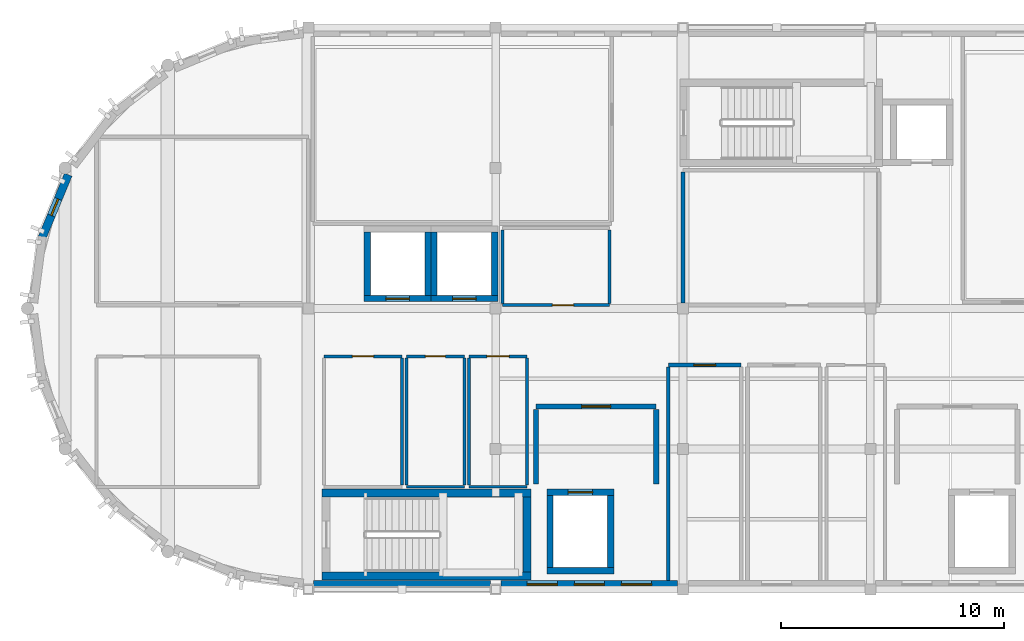
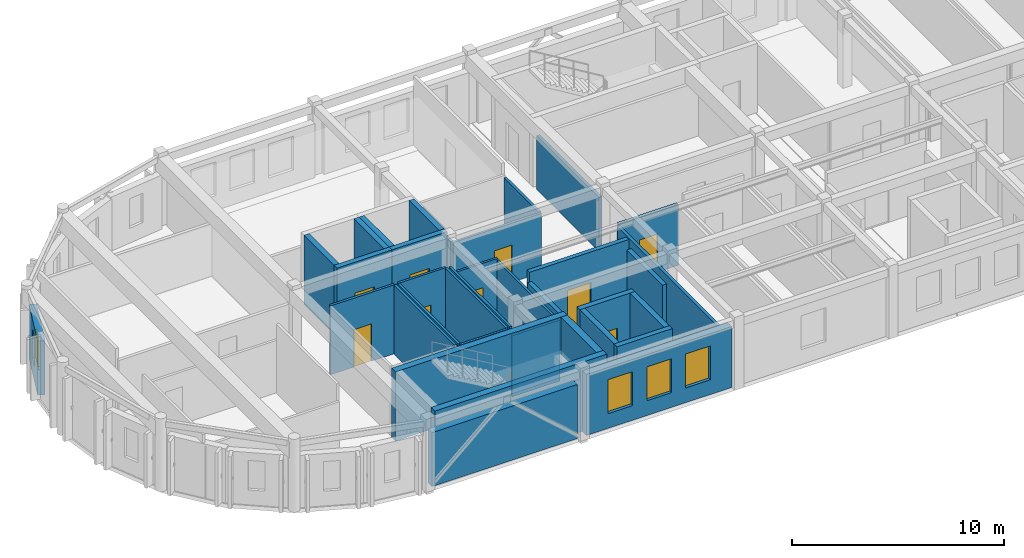
# One storey, part 3 of 11: 35 walls, 9 doors, 4 windows, 13 openings.
"""IFC4 building model written with IfcOpenShell, lengths in metres."""

from ifc_helpers import new_model, si_unit, direction, frame, frame_2d, origin, place, context, subcontext, project, spatial, rectangle, extrude, material, layer, layer_set, type_object, element, fill, save


model = new_model("IFC4")

# Units and contexts
model_context = context("Model", 3, precision=1e-05, world=origin(), true_north=direction((0.0, 1.0)))
body_context = subcontext(model_context, "Body", "Model", "MODEL_VIEW")
ifc_project = project(units=[si_unit("LENGTHUNIT", "METRE"), si_unit("AREAUNIT", "SQUARE_METRE"), si_unit("VOLUMEUNIT", "CUBIC_METRE"), si_unit("PLANEANGLEUNIT", "RADIAN"), si_unit("MASSUNIT", "GRAM", prefix="KILO")], contexts=[model_context])

# Site, building, storey
site_placement = place(None, origin())
site = spatial("IfcSite", under=ifc_project, at=site_placement, CompositionType="ELEMENT")
building_placement = place(site_placement, origin())
building = spatial("IfcBuilding", under=site, at=building_placement, Name="Tarnavel Promenade Courthouse", CompositionType="ELEMENT")
storey_placement = place(building_placement, frame((0.0, 0.0, 31.199951171875)))
storey = spatial("IfcBuildingStorey", under=building, at=storey_placement, Name="L08", CompositionType="ELEMENT", Elevation=31.199951171875)

# Wall
ifc_material_1 = material(Name="Acoustic Insulated Gypsum Stud Partition", Category="gypsum")
ifc_layer_1 = layer(ifc_material_1, 0.1650390625)
ifc_layer_set_1 = layer_set([ifc_layer_1], Name="Acoustic Insulated Gypsum Stud Partition")
wall_type_1 = type_object("IfcWallType", Name="Acoustic Insulated Gypsum Stud Partition WL-CHM-165 (165 mm)", PredefinedType="PARTITIONING", material=ifc_layer_set_1)
wall_1_placement = place(storey_placement, frame((75.60009765625, 92.04248046875, 0.0), z_axis=(0.0, 0.0, 1.0), x_axis=(0.0, 1.0, 0.0)))
element("IfcWall", 1, at=wall_1_placement, inside=storey, type_object=wall_type_1, Name="L08 L08 Judicial Panel Deliberation Salon Partition 0953", PredefinedType="PARTITIONING", context=body_context, shape_type="SweptSolid", body=[
    extrude(rectangle(XDim=5.864990234375, YDim=0.1650390625, at=frame_2d((2.9326171875, 0.0))), origin(), (0.0, 0.0, 1.0), 3.110107421875),
])

# Wall, opening, door
wall_2_placement = place(storey_placement, frame((74.93994140625, 89.260009765625, 0.0), z_axis=(0.0, 0.0, 1.0), x_axis=(1.0, 0.0, 0.0)))
wall_2 = element("IfcWall", 2, at=wall_2_placement, inside=storey, type_object=wall_type_1, Name="L08 Senior Magistracy Chambers West Partition 0964", PredefinedType="PARTITIONING", context=body_context, shape_type="SweptSolid", body=[
    extrude(rectangle(XDim=3.26806640625, YDim=0.1650390625, at=frame_2d((1.634033203125, 0.0))), origin(), (0.0, 0.0, 1.0), 3.510009765625),
])
opening_1_placement = place(wall_2_placement, frame((1.14404296875, 0.0, 0.0)))
opening_1 = element("IfcOpeningElement", 3, at=opening_1_placement, cuts=wall_2, Name="Opening ID-04", PredefinedType="OPENING", context=body_context, shape_type="SweptSolid", body=[
    extrude(rectangle(XDim=0.97998046875, YDim=2.199951171875, at=frame_2d((0.489990234375, 1.10009765625))), frame((0.0, 0.092529296875, 0.0), z_axis=(0.0, -1.0, 0.0), x_axis=(1.0, 0.0, 0.0)), (0.0, 0.0, 1.0), 0.18505859375),
])
ifc_material_2 = material(Name="Solid Oak Judges Chambers Door")
door_type_1 = type_object("IfcDoorType", Name="Solid Oak Judges Chambers Door (DR-CHM-0980x2200)", OperationType="NOTDEFINED", PredefinedType="DOOR", material=ifc_material_2)
door_1_placement = place(opening_1_placement, origin())
door_1 = element("IfcDoor", 4, at=door_1_placement, inside=storey, type_object=door_type_1, Name="L08 Senior Magistracy Chambers West Door 0275", OperationType="SINGLE_SWING_LEFT", OverallHeight=2.199951171875, OverallWidth=0.97998046875, PredefinedType="DOOR", context=body_context, shape_type="SweptSolid", body=[
    extrude(rectangle(XDim=0.97998046875, YDim=2.199951171875, at=frame_2d((0.489990234375, 1.10009765625))), frame((0.0, 0.02490234375, 0.0), z_axis=(0.0, -1.0, 0.0), x_axis=(1.0, 0.0, 0.0)), (0.0, 0.0, 1.0), 0.050048828125),
])
fill(opening_1, door_1)

# Wall
wall_3_placement = place(storey_placement, frame((74.93994140625, 79.60400390625, 0.0), z_axis=(0.0, 0.0, 1.0), x_axis=(0.0, 1.0, 0.0)))
element("IfcWall", 5, at=wall_3_placement, inside=storey, type_object=wall_type_1, Name="L08 Senior Magistracy Chambers West Partition 0965", PredefinedType="PARTITIONING", context=body_context, shape_type="SweptSolid", body=[
    extrude(rectangle(XDim=9.5634765625, YDim=0.1650390625, at=frame_2d((4.78173828125, 0.0))), origin(), (0.0, 0.0, 1.0), 3.41015625),
])

# Wall, opening, door
ifc_material_3 = material(Name="Concrete C40/50", Category="concrete")
ifc_layer_2 = layer(ifc_material_3, 0.280029296875)
ifc_layer_set_2 = layer_set([ifc_layer_2], Name="Concrete C40/50")
wall_type_2 = type_object("IfcWallType", Name="Concrete C40/50 WL-SHR-280 (280 mm)", PredefinedType="SHEAR", material=ifc_layer_set_2)
wall_4_placement = place(storey_placement, frame((69.5, 83.56005859375, 0.0), z_axis=(0.0, 0.0, 1.0), x_axis=(1.0, 0.0, 0.0)))
wall_4 = element("IfcWall", 6, at=wall_4_placement, inside=storey, type_object=wall_type_2, Name="L08 L-FF1 Lift Shaft North Wall", PredefinedType="SHEAR", context=body_context, shape_type="SweptSolid", body=[
    extrude(rectangle(XDim=3.0, YDim=0.280029296875, at=frame_2d((1.5, 0.0))), origin(), (0.0, 0.0, 1.0), 3.97998046875),
])
opening_2_placement = place(wall_4_placement, frame((0.949951171875, 0.0, 0.0)))
opening_2 = element("IfcOpeningElement", 7, at=opening_2_placement, cuts=wall_4, Name="Opening LD-01", PredefinedType="OPENING", context=body_context, shape_type="SweptSolid", body=[
    extrude(rectangle(XDim=1.10009765625, YDim=2.199951171875, at=frame_2d((0.550048828125, 1.10009765625))), frame((0.0, 0.14990234375, 0.0), z_axis=(0.0, -1.0, 0.0), x_axis=(1.0, 0.0, 0.0)), (0.0, 0.0, 1.0), 0.300048828125),
])
ifc_material_4 = material(Name="Stainless Steel Firefighting Lift Landing Sliding Door", Category="steel")
door_type_2 = type_object("IfcDoorType", Name="Stainless Steel Firefighting Lift Landing Sliding Door (LD-FF-1100x2200)", OperationType="NOTDEFINED", PredefinedType="DOOR", material=ifc_material_4)
door_2_placement = place(opening_2_placement, origin())
door_2 = element("IfcDoor", 8, at=door_2_placement, inside=storey, type_object=door_type_2, Name="L08 L-FF1 Lift Sliding Landing Door", OperationType="DOUBLE_DOOR_SLIDING", OverallHeight=2.199951171875, OverallWidth=1.10009765625, PredefinedType="DOOR", context=body_context, shape_type="SweptSolid", body=[
    extrude(rectangle(XDim=1.10009765625, YDim=2.199951171875, at=frame_2d((0.550048828125, 1.10009765625))), frame((0.0, 0.02490234375, 0.0), z_axis=(0.0, -1.0, 0.0), x_axis=(1.0, 0.0, 0.0)), (0.0, 0.0, 1.0), 0.050048828125),
])
fill(opening_2, door_2)

# Walls
wall_5_placement = place(storey_placement, frame((72.5, 80.0400390625, 0.0), z_axis=(0.0, 0.0, 1.0), x_axis=(-1.0, 0.0, 0.0)))
element("IfcWall", 9, at=wall_5_placement, inside=storey, type_object=wall_type_2, Name="L08 L-FF1 Lift Shaft South Wall", PredefinedType="SHEAR", context=body_context, shape_type="SweptSolid", body=[
    extrude(rectangle(XDim=3.0, YDim=0.280029296875, at=frame_2d((1.5, 0.0))), origin(), (0.0, 0.0, 1.0), 3.97998046875),
])
for number, where, z_axis, x_axis, name in (
    (10, (69.639892578125, 80.179931640625, 0.0), (0.0, 0.0, 1.0), (0.0, 1.0, 0.0), "L08 L-FF1 Lift Shaft West Wall"),
    (11, (72.360107421875, 83.419921875, 0.0), (0.0, 0.0, 1.0), (0.0, -1.0, 0.0), "L08 L-FF1 Lift Shaft East Wall"),
):
    element("IfcWall", number, at=place(storey_placement, frame(where, z_axis=z_axis, x_axis=x_axis)), inside=storey, type_object=wall_type_2, Name=name, PredefinedType="SHEAR", context=body_context, shape_type="SweptSolid", body=[
        extrude(rectangle(XDim=3.239990234375, YDim=0.280029296875, at=frame_2d((1.6201171875, 0.0))), origin(), (0.0, 0.0, 1.0), 3.97998046875),
    ])

# Wall, opening, door
wall_6_placement = place(storey_placement, frame((64.300048828125, 92.239990234375, 0.0), z_axis=(0.0, 0.0, 1.0), x_axis=(-1.0, 0.0, 0.0)))
wall_6 = element("IfcWall", 12, at=wall_6_placement, inside=storey, type_object=wall_type_2, Name="L08 L-PUB1 Lift Shaft South Wall", PredefinedType="SHEAR", context=body_context, shape_type="SweptSolid", body=[
    extrude(rectangle(XDim=3.0, YDim=0.280029296875, at=frame_2d((1.5, 0.0))), origin(), (0.0, 0.0, 1.0), 3.97998046875),
])
opening_3_placement = place(wall_6_placement, frame((0.97509765625, 0.0, 0.0)))
opening_3 = element("IfcOpeningElement", 13, at=opening_3_placement, cuts=wall_6, Name="Opening LD-02", PredefinedType="OPENING", context=body_context, shape_type="SweptSolid", body=[
    extrude(rectangle(XDim=1.050048828125, YDim=2.199951171875, at=frame_2d((0.52490234375, 1.10009765625))), frame((0.0, 0.14990234375, 0.0), z_axis=(0.0, -1.0, 0.0), x_axis=(1.0, 0.0, 0.0)), (0.0, 0.0, 1.0), 0.300048828125),
])
ifc_material_5 = material(Name="Brushed Bronze Passenger Lift Landing Sliding Door")
door_type_3 = type_object("IfcDoorType", Name="Brushed Bronze Passenger Lift Landing Sliding Door (LD-PUB-1050x2200)", OperationType="NOTDEFINED", PredefinedType="DOOR", material=ifc_material_5)
door_3_placement = place(opening_3_placement, origin())
door_3 = element("IfcDoor", 14, at=door_3_placement, inside=storey, type_object=door_type_3, Name="L08 L-PUB1 Lift Sliding Landing Door", OperationType="DOUBLE_DOOR_SLIDING", OverallHeight=2.199951171875, OverallWidth=1.050048828125, PredefinedType="DOOR", context=body_context, shape_type="SweptSolid", body=[
    extrude(rectangle(XDim=1.050048828125, YDim=2.199951171875, at=frame_2d((0.52490234375, 1.10009765625))), frame((0.0, 0.02490234375, 0.0), z_axis=(0.0, -1.0, 0.0), x_axis=(1.0, 0.0, 0.0)), (0.0, 0.0, 1.0), 0.050048828125),
])
fill(opening_3, door_3)

# Walls
for number, where, z_axis, x_axis, name in (
    (15, (61.43994140625, 92.3798828125, 0.0), (0.0, 0.0, 1.0), (0.0, 1.0, 0.0), "L08 L-PUB1 Lift Shaft West Wall"),
    (16, (64.159912109375, 95.219970703125, 0.0), (0.0, 0.0, 1.0), (0.0, -1.0, 0.0), "L08 L-PUB1 Lift Shaft East Wall"),
):
    element("IfcWall", number, at=place(storey_placement, frame(where, z_axis=z_axis, x_axis=x_axis)), inside=storey, type_object=wall_type_2, Name=name, PredefinedType="SHEAR", context=body_context, shape_type="SweptSolid", body=[
        extrude(rectangle(XDim=2.840087890625, YDim=0.280029296875, at=frame_2d((1.419921875, 0.0))), origin(), (0.0, 0.0, 1.0), 3.97998046875),
    ])

# Wall, opening, door
wall_7_placement = place(storey_placement, frame((67.300048828125, 92.239990234375, 0.0), z_axis=(0.0, 0.0, 1.0), x_axis=(-1.0, 0.0, 0.0)))
wall_7 = element("IfcWall", 17, at=wall_7_placement, inside=storey, type_object=wall_type_2, Name="L08 L-PUB2 Lift Shaft South Wall", PredefinedType="SHEAR", context=body_context, shape_type="SweptSolid", body=[
    extrude(rectangle(XDim=3.0, YDim=0.280029296875, at=frame_2d((1.5, 0.0))), origin(), (0.0, 0.0, 1.0), 3.97998046875),
])
opening_4_placement = place(wall_7_placement, frame((0.97509765625, 0.0, 0.0)))
opening_4 = element("IfcOpeningElement", 18, at=opening_4_placement, cuts=wall_7, Name="Opening LD-02", PredefinedType="OPENING", context=body_context, shape_type="SweptSolid", body=[
    extrude(rectangle(XDim=1.050048828125, YDim=2.199951171875, at=frame_2d((0.52490234375, 1.10009765625))), frame((0.0, 0.14990234375, 0.0), z_axis=(0.0, -1.0, 0.0), x_axis=(1.0, 0.0, 0.0)), (0.0, 0.0, 1.0), 0.300048828125),
])
door_4_placement = place(opening_4_placement, origin())
door_4 = element("IfcDoor", 19, at=door_4_placement, inside=storey, type_object=door_type_3, Name="L08 L-PUB2 Lift Sliding Landing Door", OperationType="DOUBLE_DOOR_SLIDING", OverallHeight=2.199951171875, OverallWidth=1.050048828125, PredefinedType="DOOR", context=body_context, shape_type="SweptSolid", body=[
    extrude(rectangle(XDim=1.050048828125, YDim=2.199951171875, at=frame_2d((0.52490234375, 1.10009765625))), frame((0.0, 0.02490234375, 0.0), z_axis=(0.0, -1.0, 0.0), x_axis=(1.0, 0.0, 0.0)), (0.0, 0.0, 1.0), 0.050048828125),
])
fill(opening_4, door_4)

# Walls
for number, where, z_axis, x_axis, name in (
    (20, (64.43994140625, 92.3798828125, 0.0), (0.0, 0.0, 1.0), (0.0, 1.0, 0.0), "L08 L-PUB2 Lift Shaft West Wall"),
    (21, (67.159912109375, 95.219970703125, 0.0), (0.0, 0.0, 1.0), (0.0, -1.0, 0.0), "L08 L-PUB2 Lift Shaft East Wall"),
):
    element("IfcWall", number, at=place(storey_placement, frame(where, z_axis=z_axis, x_axis=x_axis)), inside=storey, type_object=wall_type_2, Name=name, PredefinedType="SHEAR", context=body_context, shape_type="SweptSolid", body=[
        extrude(rectangle(XDim=2.840087890625, YDim=0.280029296875, at=frame_2d((1.419921875, 0.0))), origin(), (0.0, 0.0, 1.0), 3.97998046875),
    ])
ifc_layer_3 = layer(ifc_material_3, 0.360107421875)
ifc_layer_set_3 = layer_set([ifc_layer_3], Name="Concrete C40/50")
wall_type_3 = type_object("IfcWallType", Name="Concrete C40/50 WL-SHR-360 (360 mm)", PredefinedType="SHEAR", material=ifc_layer_set_3)
for number, where, z_axis, x_axis, name in (
    (22, (59.419921875, 83.52001953125, 0.0), (0.0, 0.0, 1.0), (1.0, 0.0, 0.0), "L08 ST-01 Shear Core North Wall"),
    (23, (68.780029296875, 79.800048828125, 0.0), (0.0, 0.0, 1.0), (-1.0, 0.0, 0.0), "L08 ST-01 Shear Core South Wall"),
):
    element("IfcWall", number, at=place(storey_placement, frame(where, z_axis=z_axis, x_axis=x_axis)), inside=storey, type_object=wall_type_3, Name=name, PredefinedType="SHEAR", context=body_context, shape_type="SweptSolid", body=[
        extrude(rectangle(XDim=9.360107421875, YDim=0.360107421875, at=frame_2d((4.68017578125, 0.0))), origin(), (0.0, 0.0, 1.0), 3.97998046875),
    ])
wall_8_placement = place(storey_placement, frame((68.60009765625, 83.340087890625, 0.0), z_axis=(0.0, 0.0, 1.0), x_axis=(0.0, -1.0, 0.0)))
element("IfcWall", 24, at=wall_8_placement, inside=storey, type_object=wall_type_3, Name="L08 ST-01 Shear Core East Wall", PredefinedType="SHEAR", context=body_context, shape_type="SweptSolid", body=[
    extrude(rectangle(XDim=3.360107421875, YDim=0.360107421875, at=frame_2d((1.68017578125, 0.0))), origin(), (0.0, 0.0, 1.0), 3.97998046875),
])

# Wall, opening, door
ifc_material_6 = material(Name="Concrete Masonry Fire Compartment Wall", Category="masonry")
ifc_layer_4 = layer(ifc_material_6, 0.22998046875)
ifc_layer_set_4 = layer_set([ifc_layer_4], Name="Concrete Masonry Fire Compartment Wall")
wall_type_4 = type_object("IfcWallType", Name="Concrete Masonry Fire Compartment Wall WL-CMP-230 (230 mm)", PredefinedType="STANDARD", material=ifc_layer_set_4)
wall_9_placement = place(storey_placement, frame((69.0, 87.39990234375, 0.0), z_axis=(0.0, 0.0, 1.0), x_axis=(1.0, 0.0, 0.0)))
wall_9 = element("IfcWall", 25, at=wall_9_placement, inside=storey, type_object=wall_type_4, Name="L08 Firefighting Lobby L-FF1 Partition 0914", PredefinedType="STANDARD", context=body_context, shape_type="SweptSolid", body=[
    extrude(rectangle(XDim=5.39990234375, YDim=0.22998046875, at=frame_2d((2.699951171875, 0.0))), origin(), (0.0, 0.0, 1.0), 3.965087890625),
])
opening_5_placement = place(wall_9_placement, frame((2.050048828125, 0.0, 0.0)))
opening_5 = element("IfcOpeningElement", 26, at=opening_5_placement, cuts=wall_9, Name="Opening FD-03", PredefinedType="OPENING", context=body_context, shape_type="SweptSolid", body=[
    extrude(rectangle(XDim=1.300048828125, YDim=2.199951171875, at=frame_2d((0.64990234375, 1.10009765625))), frame((0.0, 0.125, 0.0), z_axis=(0.0, -1.0, 0.0), x_axis=(1.0, 0.0, 0.0)), (0.0, 0.0, 1.0), 0.25),
])
ifc_material_7 = material(Name="Smoke-Sealed Firefighting Lobby Fire Door")
door_type_4 = type_object("IfcDoorType", Name="Smoke-Sealed Firefighting Lobby Fire Door (DR-FFL-1300x2200)", OperationType="NOTDEFINED", PredefinedType="DOOR", material=ifc_material_7)
door_5_placement = place(opening_5_placement, origin())
door_5 = element("IfcDoor", 27, at=door_5_placement, inside=storey, type_object=door_type_4, Name="L08 Firefighting Lobby L-FF1 Door 0261", OperationType="SINGLE_SWING_LEFT", OverallHeight=2.199951171875, OverallWidth=1.300048828125, PredefinedType="DOOR", context=body_context, shape_type="SweptSolid", body=[
    extrude(rectangle(XDim=1.300048828125, YDim=2.199951171875, at=frame_2d((0.64990234375, 1.10009765625))), frame((0.0, 0.02490234375, 0.0), z_axis=(0.0, -1.0, 0.0), x_axis=(1.0, 0.0, 0.0)), (0.0, 0.0, 1.0), 0.050048828125),
])
fill(opening_5, door_5)

# Walls
for number, where, z_axis, x_axis, name in (
    (28, (69.0, 83.925048828125, 0.0), (0.0, 0.0, 1.0), (0.0, 1.0, 0.0), "L08 Firefighting Lobby L-FF1 Partition 0915"),
    (29, (74.39990234375, 87.27490234375, 0.0), (0.0, 0.0, 1.0), (0.0, -1.0, 0.0), "L08 Firefighting Lobby L-FF1 Partition 0916"),
):
    element("IfcWall", number, at=place(storey_placement, frame(where, z_axis=z_axis, x_axis=x_axis)), inside=storey, type_object=wall_type_4, Name=name, PredefinedType="STANDARD", context=body_context, shape_type="SweptSolid", body=[
        extrude(rectangle(XDim=3.349853515625, YDim=0.22998046875, at=frame_2d((1.6748046875, 0.0))), origin(), (0.0, 0.0, 1.0), 3.41015625),
    ])
ifc_material_8 = material(Name="Cream Brick Insulated Cavity Facade Assembly", Category="masonry")
ifc_layer_5 = layer(ifc_material_8, 0.3798828125)
ifc_layer_set_5 = layer_set([ifc_layer_5], Name="Cream Brick Insulated Cavity Facade Assembly")
wall_type_5 = type_object("IfcWallType", Name="Cream Brick Insulated Cavity Facade Assembly WL-EXT-380 (380 mm)", PredefinedType="STANDARD", material=ifc_layer_set_5)
wall_10_placement = place(storey_placement, frame((66.9580078125, 79.419921875, 0.0), z_axis=(0.0, 0.0, 1.0), x_axis=(-1.0, 0.0, 0.0)))
element("IfcWall", 30, at=wall_10_placement, inside=storey, type_object=wall_type_5, Name="L08 Bar South Limestone Facade 0209", PredefinedType="STANDARD", context=body_context, shape_type="SweptSolid", body=[
    extrude(rectangle(XDim=7.9208984375, YDim=0.3798828125, at=frame_2d((3.96044921875, 0.0))), origin(), (0.0, 0.0, 1.0), 3.110107421875),
])

# Wall, openings, windows
wall_11_placement = place(storey_placement, frame((75.35791015625, 79.419921875, 0.0), z_axis=(0.0, 0.0, 1.0), x_axis=(-1.0, 0.0, 0.0)))
wall_11 = element("IfcWall", 31, at=wall_11_placement, inside=storey, type_object=wall_type_5, Name="L08 Bar South Limestone Facade 0210", PredefinedType="STANDARD", context=body_context, shape_type="SweptSolid", body=[
    extrude(rectangle(XDim=7.916015625, YDim=0.3798828125, at=frame_2d((3.9580078125, 0.0))), origin(), (0.0, 0.0, 1.0), 3.510009765625),
])
opening_6_placement = place(wall_11_placement, frame((1.169677734375, 0.0, 0.85009765625)))
opening_6 = element("IfcOpeningElement", 32, at=opening_6_placement, cuts=wall_11, Name="Opening W-04", PredefinedType="OPENING", context=body_context, shape_type="SweptSolid", body=[
    extrude(rectangle(XDim=1.35009765625, YDim=1.949951171875, at=frame_2d((0.675048828125, 0.97509765625))), frame((0.0, 0.199951171875, 0.0), z_axis=(0.0, -1.0, 0.0), x_axis=(1.0, 0.0, 0.0)), (0.0, 0.0, 1.0), 0.39990234375),
])
opening_7_placement = place(wall_11_placement, frame((3.282958984375, 0.0, 0.85009765625)))
opening_7 = element("IfcOpeningElement", 33, at=opening_7_placement, cuts=wall_11, Name="Opening W-04", PredefinedType="OPENING", context=body_context, shape_type="SweptSolid", body=[
    extrude(rectangle(XDim=1.35009765625, YDim=1.949951171875, at=frame_2d((0.675048828125, 0.97509765625))), frame((0.0, 0.199951171875, 0.0), z_axis=(0.0, -1.0, 0.0), x_axis=(1.0, 0.0, 0.0)), (0.0, 0.0, 1.0), 0.39990234375),
])
opening_8_placement = place(wall_11_placement, frame((5.396240234375, 0.0, 0.85009765625)))
opening_8 = element("IfcOpeningElement", 34, at=opening_8_placement, cuts=wall_11, Name="Opening W-04", PredefinedType="OPENING", context=body_context, shape_type="SweptSolid", body=[
    extrude(rectangle(XDim=1.35009765625, YDim=1.949951171875, at=frame_2d((0.675048828125, 0.97509765625))), frame((0.0, 0.199951171875, 0.0), z_axis=(0.0, -1.0, 0.0), x_axis=(1.0, 0.0, 0.0)), (0.0, 0.0, 1.0), 0.39990234375),
])
ifc_material_9 = material(Name="Triple Low-E Glazed Bronze-Clad Window Assembly")
window_type_1 = type_object("IfcWindowType", Name="Triple-Glazed Bronze-Clad Timber-Aluminium WIN-CHM-1350x1950", PartitioningType="SINGLE_PANEL", PredefinedType="WINDOW", material=ifc_material_9)
window_1_placement = place(opening_6_placement, origin())
window_1 = element("IfcWindow", 35, at=window_1_placement, inside=storey, type_object=window_type_1, Name="L08 Exterior Window 0176", OverallHeight=1.949951171875, OverallWidth=1.35009765625, PartitioningType="SINGLE_PANEL", PredefinedType="WINDOW", context=body_context, shape_type="SweptSolid", body=[
    extrude(rectangle(XDim=1.35009765625, YDim=1.949951171875, at=frame_2d((0.675048828125, 0.97509765625))), frame((0.0, 0.030029296875, 0.0), z_axis=(0.0, -1.0, 0.0), x_axis=(1.0, 0.0, 0.0)), (0.0, 0.0, 1.0), 0.06005859375),
])
fill(opening_6, window_1)
window_2_placement = place(opening_7_placement, origin())
window_2 = element("IfcWindow", 36, at=window_2_placement, inside=storey, type_object=window_type_1, Name="L08 Exterior Window 0177", OverallHeight=1.949951171875, OverallWidth=1.35009765625, PartitioningType="SINGLE_PANEL", PredefinedType="WINDOW", context=body_context, shape_type="SweptSolid", body=[
    extrude(rectangle(XDim=1.35009765625, YDim=1.949951171875, at=frame_2d((0.675048828125, 0.97509765625))), frame((0.0, 0.030029296875, 0.0), z_axis=(0.0, -1.0, 0.0), x_axis=(1.0, 0.0, 0.0)), (0.0, 0.0, 1.0), 0.06005859375),
])
fill(opening_7, window_2)
window_3_placement = place(opening_8_placement, origin())
window_3 = element("IfcWindow", 37, at=window_3_placement, inside=storey, type_object=window_type_1, Name="L08 Exterior Window 0178", OverallHeight=1.949951171875, OverallWidth=1.35009765625, PartitioningType="SINGLE_PANEL", PredefinedType="WINDOW", context=body_context, shape_type="SweptSolid", body=[
    extrude(rectangle(XDim=1.35009765625, YDim=1.949951171875, at=frame_2d((0.675048828125, 0.97509765625))), frame((0.0, 0.030029296875, 0.0), z_axis=(0.0, -1.0, 0.0), x_axis=(1.0, 0.0, 0.0)), (0.0, 0.0, 1.0), 0.06005859375),
])
fill(opening_8, window_3)

# Wall, opening, door
ifc_material_10 = material(Name="Metal-Stud Acoustic Gypsum Partition", Category="gypsum")
ifc_layer_6 = layer(ifc_material_10, 0.135009765625)
ifc_layer_set_6 = layer_set([ifc_layer_6], Name="Metal-Stud Acoustic Gypsum Partition")
wall_type_6 = type_object("IfcWallType", Name="Metal-Stud Acoustic Gypsum Partition WL-OFF-135 (135 mm)", PredefinedType="PARTITIONING", material=ifc_layer_set_6)
wall_12_placement = place(storey_placement, frame((59.5, 89.64990234375, 0.0), z_axis=(0.0, 0.0, 1.0), x_axis=(1.0, 0.0, 0.0)))
wall_12 = element("IfcWall", 38, at=wall_12_placement, inside=storey, type_object=wall_type_6, Name="L08 L08 Bailiffs' Duty Room Partition 0936", PredefinedType="PARTITIONING", context=body_context, shape_type="SweptSolid", body=[
    extrude(rectangle(XDim=3.5, YDim=0.135009765625, at=frame_2d((1.75, 0.0))), origin(), (0.0, 0.0, 1.0), 3.965087890625),
])
opening_9_placement = place(wall_12_placement, frame((1.27490234375, 0.0, 0.0)))
opening_9 = element("IfcOpeningElement", 39, at=opening_9_placement, cuts=wall_12, Name="Opening ID-06", PredefinedType="OPENING", context=body_context, shape_type="SweptSolid", body=[
    extrude(rectangle(XDim=0.949951171875, YDim=2.14990234375, at=frame_2d((0.47509765625, 1.074951171875))), frame((0.0, 0.077392578125, 0.0), z_axis=(0.0, -1.0, 0.0), x_axis=(1.0, 0.0, 0.0)), (0.0, 0.0, 1.0), 0.155029296875),
])
ifc_material_11 = material(Name="Acoustic Timber Veneer Office Door", Category="wood")
door_type_5 = type_object("IfcDoorType", Name="Acoustic Timber Veneer Office Door (DR-OFF-0950x2150)", OperationType="NOTDEFINED", PredefinedType="DOOR", material=ifc_material_11)
door_6_placement = place(opening_9_placement, origin())
door_6 = element("IfcDoor", 40, at=door_6_placement, inside=storey, type_object=door_type_5, Name="L08 L08 Bailiffs' Duty Room Door 0267", OperationType="SINGLE_SWING_LEFT", OverallHeight=2.14990234375, OverallWidth=0.949951171875, PredefinedType="DOOR", context=body_context, shape_type="SweptSolid", body=[
    extrude(rectangle(XDim=0.949951171875, YDim=2.14990234375, at=frame_2d((0.47509765625, 1.074951171875))), frame((0.0, 0.02490234375, 0.0), z_axis=(0.0, -1.0, 0.0), x_axis=(1.0, 0.0, 0.0)), (0.0, 0.0, 1.0), 0.050048828125),
])
fill(opening_9, door_6)

# Wall
wall_13_placement = place(storey_placement, frame((63.0, 89.572509765625, 0.0), z_axis=(0.0, 0.0, 1.0), x_axis=(0.0, -1.0, 0.0)))
element("IfcWall", 41, at=wall_13_placement, inside=storey, type_object=wall_type_6, Name="L08 L08 Bailiffs' Duty Room Partition 0939", PredefinedType="PARTITIONING", context=body_context, shape_type="SweptSolid", body=[
    extrude(rectangle(XDim=5.695068359375, YDim=0.135009765625, at=frame_2d((2.84765625, 0.0))), origin(), (0.0, 0.0, 1.0), 3.965087890625),
])

# Wall, opening, door
wall_14_placement = place(storey_placement, frame((72.300048828125, 91.949951171875, 0.0), z_axis=(0.0, 0.0, 1.0), x_axis=(-1.0, 0.0, 0.0)))
wall_14 = element("IfcWall", 42, at=wall_14_placement, inside=storey, type_object=wall_type_6, Name="L08 L08 Judicial Case Clerks' Room Partition 0948", PredefinedType="PARTITIONING", context=body_context, shape_type="SweptSolid", body=[
    extrude(rectangle(XDim=4.800048828125, YDim=0.135009765625, at=frame_2d((2.39990234375, 0.0))), origin(), (0.0, 0.0, 1.0), 3.41015625),
])
opening_10_placement = place(wall_14_placement, frame((1.610107421875, 0.0, 0.0)))
opening_10 = element("IfcOpeningElement", 43, at=opening_10_placement, cuts=wall_14, Name="Opening ID-06", PredefinedType="OPENING", context=body_context, shape_type="SweptSolid", body=[
    extrude(rectangle(XDim=0.949951171875, YDim=2.14990234375, at=frame_2d((0.47509765625, 1.074951171875))), frame((0.0, 0.077392578125, 0.0), z_axis=(0.0, -1.0, 0.0), x_axis=(1.0, 0.0, 0.0)), (0.0, 0.0, 1.0), 0.155029296875),
])
door_7_placement = place(opening_10_placement, origin())
door_7 = element("IfcDoor", 44, at=door_7_placement, inside=storey, type_object=door_type_5, Name="L08 L08 Judicial Case Clerks' Room Door 0270", OperationType="SINGLE_SWING_RIGHT", OverallHeight=2.14990234375, OverallWidth=0.949951171875, PredefinedType="DOOR", context=body_context, shape_type="SweptSolid", body=[
    extrude(rectangle(XDim=0.949951171875, YDim=2.14990234375, at=frame_2d((0.47509765625, 1.074951171875))), frame((0.0, 0.02490234375, 0.0), z_axis=(0.0, -1.0, 0.0), x_axis=(1.0, 0.0, 0.0)), (0.0, 0.0, 1.0), 0.050048828125),
])
fill(opening_10, door_7)

# Walls
for number, where, z_axis, x_axis, name in (
    (45, (67.5, 92.027587890625, 0.0), (0.0, 0.0, 1.0), (0.0, 1.0, 0.0), "L08 L08 Judicial Case Clerks' Room Partition 0949"),
    (46, (72.300048828125, 95.322509765625, 0.0), (0.0, 0.0, 1.0), (0.0, -1.0, 0.0), "L08 L08 Judicial Case Clerks' Room Partition 0950"),
):
    element("IfcWall", number, at=place(storey_placement, frame(where, z_axis=z_axis, x_axis=x_axis)), inside=storey, type_object=wall_type_6, Name=name, PredefinedType="PARTITIONING", context=body_context, shape_type="SweptSolid", body=[
        extrude(rectangle(XDim=3.294921875, YDim=0.135009765625, at=frame_2d((1.6474609375, 0.0))), origin(), (0.0, 0.0, 1.0), 3.41015625),
    ])

# Wall, opening, door
ifc_material_12 = material(Name="Moisture-Resistant Tile-Backed Stud Partition", Category="gypsum")
ifc_layer_7 = layer(ifc_material_12, 0.125)
ifc_layer_set_7 = layer_set([ifc_layer_7], Name="Moisture-Resistant Tile-Backed Stud Partition")
wall_type_7 = type_object("IfcWallType", Name="Moisture-Resistant Tile-Backed Stud Partition WL-WET-125 (125 mm)", PredefinedType="PARTITIONING", material=ifc_layer_set_7)
wall_15_placement = place(storey_placement, frame((63.199951171875, 89.64990234375, 0.0), z_axis=(0.0, 0.0, 1.0), x_axis=(1.0, 0.0, 0.0)))
wall_15 = element("IfcWall", 47, at=wall_15_placement, inside=storey, type_object=wall_type_7, Name="L08 Public WC Partition 0920", PredefinedType="PARTITIONING", context=body_context, shape_type="SweptSolid", body=[
    extrude(rectangle(XDim=2.60009765625, YDim=0.125, at=frame_2d((1.300048828125, 0.0))), origin(), (0.0, 0.0, 1.0), 3.965087890625),
])
opening_11_placement = place(wall_15_placement, frame((0.85009765625, 0.0, 0.0)))
opening_11 = element("IfcOpeningElement", 48, at=opening_11_placement, cuts=wall_15, Name="Opening ID-08", PredefinedType="OPENING", context=body_context, shape_type="SweptSolid", body=[
    extrude(rectangle(XDim=0.89990234375, YDim=2.10009765625, at=frame_2d((0.449951171875, 1.050048828125))), frame((0.0, 0.072509765625, 0.0), z_axis=(0.0, -1.0, 0.0), x_axis=(1.0, 0.0, 0.0)), (0.0, 0.0, 1.0), 0.14501953125),
])
ifc_material_13 = material(Name="Moisture-Resistant Laminate Restroom Door")
door_type_6 = type_object("IfcDoorType", Name="Moisture-Resistant Laminate Restroom Door (DR-WC-0900x2100)", OperationType="NOTDEFINED", PredefinedType="DOOR", material=ifc_material_13)
door_8_placement = place(opening_11_placement, origin())
door_8 = element("IfcDoor", 49, at=door_8_placement, inside=storey, type_object=door_type_6, Name="L08 Public WC Door 0263", OperationType="SINGLE_SWING_LEFT", OverallHeight=2.10009765625, OverallWidth=0.89990234375, PredefinedType="DOOR", context=body_context, shape_type="SweptSolid", body=[
    extrude(rectangle(XDim=0.89990234375, YDim=2.10009765625, at=frame_2d((0.449951171875, 1.050048828125))), frame((0.0, 0.02490234375, 0.0), z_axis=(0.0, -1.0, 0.0), x_axis=(1.0, 0.0, 0.0)), (0.0, 0.0, 1.0), 0.050048828125),
])
fill(opening_11, door_8)

# Walls
wall_16_placement = place(storey_placement, frame((65.800048828125, 83.800048828125, 0.0), z_axis=(0.0, 0.0, 1.0), x_axis=(-1.0, 0.0, 0.0)))
element("IfcWall", 50, at=wall_16_placement, inside=storey, type_object=wall_type_7, Name="L08 Public WC Partition 0921", PredefinedType="PARTITIONING", context=body_context, shape_type="SweptSolid", body=[
    extrude(rectangle(XDim=2.60009765625, YDim=0.125, at=frame_2d((1.300048828125, 0.0))), origin(), (0.0, 0.0, 1.0), 3.965087890625),
])
for number, where, z_axis, x_axis, name in (
    (51, (63.199951171875, 83.87255859375, 0.0), (0.0, 0.0, 1.0), (0.0, 1.0, 0.0), "L08 Public WC Partition 0922"),
    (52, (65.800048828125, 89.577392578125, 0.0), (0.0, 0.0, 1.0), (0.0, -1.0, 0.0), "L08 Public WC Partition 0923"),
):
    element("IfcWall", number, at=place(storey_placement, frame(where, z_axis=z_axis, x_axis=x_axis)), inside=storey, type_object=wall_type_7, Name=name, PredefinedType="PARTITIONING", context=body_context, shape_type="SweptSolid", body=[
        extrude(rectangle(XDim=5.704833984375, YDim=0.125, at=frame_2d((2.8525390625, 0.0))), origin(), (0.0, 0.0, 1.0), 3.965087890625),
    ])

# Wall, opening, door
wall_17_placement = place(storey_placement, frame((66.0, 89.64990234375, 0.0), z_axis=(0.0, 0.0, 1.0), x_axis=(1.0, 0.0, 0.0)))
wall_17 = element("IfcWall", 53, at=wall_17_placement, inside=storey, type_object=wall_type_7, Name="L08 Accessible WC Partition 0924", PredefinedType="PARTITIONING", context=body_context, shape_type="SweptSolid", body=[
    extrude(rectangle(XDim=2.60009765625, YDim=0.125, at=frame_2d((1.300048828125, 0.0))), origin(), (0.0, 0.0, 1.0), 3.510009765625),
])
opening_12_placement = place(wall_17_placement, frame((0.800048828125, 0.0, 0.0)))
opening_12 = element("IfcOpeningElement", 54, at=opening_12_placement, cuts=wall_17, Name="Opening ID-09", PredefinedType="OPENING", context=body_context, shape_type="SweptSolid", body=[
    extrude(rectangle(XDim=1.0, YDim=2.10009765625, at=frame_2d((0.5, 1.050048828125))), frame((0.0, 0.072509765625, 0.0), z_axis=(0.0, -1.0, 0.0), x_axis=(1.0, 0.0, 0.0)), (0.0, 0.0, 1.0), 0.14501953125),
])
ifc_material_14 = material(Name="Wide Accessible Restroom Outward Door")
door_type_7 = type_object("IfcDoorType", Name="Wide Accessible Restroom Outward Door (DR-AWC-1000x2100)", OperationType="NOTDEFINED", PredefinedType="DOOR", material=ifc_material_14)
door_9_placement = place(opening_12_placement, origin())
door_9 = element("IfcDoor", 55, at=door_9_placement, inside=storey, type_object=door_type_7, Name="L08 Accessible WC Door 0264", OperationType="SINGLE_SWING_RIGHT", OverallHeight=2.10009765625, OverallWidth=1.0, PredefinedType="DOOR", context=body_context, shape_type="SweptSolid", body=[
    extrude(rectangle(XDim=1.0, YDim=2.10009765625, at=frame_2d((0.5, 1.050048828125))), frame((0.0, 0.02490234375, 0.0), z_axis=(0.0, -1.0, 0.0), x_axis=(1.0, 0.0, 0.0)), (0.0, 0.0, 1.0), 0.050048828125),
])
fill(opening_12, door_9)

# Walls
wall_18_placement = place(storey_placement, frame((68.60009765625, 83.800048828125, 0.0), z_axis=(0.0, 0.0, 1.0), x_axis=(-1.0, 0.0, 0.0)))
element("IfcWall", 56, at=wall_18_placement, inside=storey, type_object=wall_type_7, Name="L08 Accessible WC Partition 0925", PredefinedType="PARTITIONING", context=body_context, shape_type="SweptSolid", body=[
    extrude(rectangle(XDim=2.60009765625, YDim=0.125, at=frame_2d((1.300048828125, 0.0))), origin(), (0.0, 0.0, 1.0), 3.510009765625),
])
wall_19_placement = place(storey_placement, frame((66.0, 83.87255859375, 0.0), z_axis=(0.0, 0.0, 1.0), x_axis=(0.0, 1.0, 0.0)))
element("IfcWall", 57, at=wall_19_placement, inside=storey, type_object=wall_type_7, Name="L08 Accessible WC Partition 0926", PredefinedType="PARTITIONING", context=body_context, shape_type="SweptSolid", body=[
    extrude(rectangle(XDim=5.704833984375, YDim=0.125, at=frame_2d((2.8525390625, 0.0))), origin(), (0.0, 0.0, 1.0), 3.965087890625),
])
wall_20_placement = place(storey_placement, frame((68.60009765625, 89.577392578125, 0.0), z_axis=(0.0, 0.0, 1.0), x_axis=(0.0, -1.0, 0.0)))
element("IfcWall", 58, at=wall_20_placement, inside=storey, type_object=wall_type_7, Name="L08 Accessible WC Partition 0927", PredefinedType="PARTITIONING", context=body_context, shape_type="SweptSolid", body=[
    extrude(rectangle(XDim=5.704833984375, YDim=0.125, at=frame_2d((2.8525390625, 0.0))), origin(), (0.0, 0.0, 1.0), 3.41015625),
])

# Wall, opening, window
ifc_material_15 = material(Name="Patinated Copper-Bronze Insulated Drum Wall Assembly", Category="masonry")
ifc_layer_8 = layer(ifc_material_15, 0.364990234375)
ifc_layer_set_8 = layer_set([ifc_layer_8], Name="Patinated Copper-Bronze Insulated Drum Wall Assembly")
wall_type_8 = type_object("IfcWallType", Name="Patinated Copper-Bronze Insulated Drum Wall Assembly WL-DRUM-365 (365 mm)", PredefinedType="ELEMENTEDWALL", material=ifc_layer_set_8)
wall_21_placement = place(storey_placement, frame((48.0322265625, 97.794677734375, 0.0), z_axis=(0.0, 0.0, 1.0), x_axis=(-0.382689777405, -0.923876904284, 0.0)))
wall_21 = element("IfcWall", 59, at=wall_21_placement, inside=storey, type_object=wall_type_8, Name="L08 W Copper Drum Chord Wall 05 0218", PredefinedType="ELEMENTEDWALL", context=body_context, shape_type="SweptSolid", body=[
    extrude(rectangle(XDim=3.062255859375, YDim=0.364990234375, at=frame_2d((1.53125, 0.0))), origin(), (0.0, 0.0, 1.0), 3.110107421875),
])
opening_13_placement = place(wall_21_placement, frame((1.175048828125, 0.0, 0.85009765625)))
opening_13 = element("IfcOpeningElement", 60, at=opening_13_placement, cuts=wall_21, Name="Opening W-09", PredefinedType="OPENING", context=body_context, shape_type="SweptSolid", body=[
    extrude(rectangle(XDim=0.800048828125, YDim=1.699951171875, at=frame_2d((0.39990234375, 0.85009765625))), frame((0.0, 0.1923828125, 0.0), z_axis=(0.0, -1.0, 0.0), x_axis=(1.0, 0.0, 0.0)), (0.0, 0.0, 1.0), 0.385009765625),
])
window_type_2 = type_object("IfcWindowType", Name="Triple-Glazed Bronze-Clad Timber-Aluminium WIN-DRM-0800x1700", PartitioningType="SINGLE_PANEL", PredefinedType="WINDOW", material=ifc_material_9)
window_4_placement = place(opening_13_placement, origin())
window_4 = element("IfcWindow", 61, at=window_4_placement, inside=storey, type_object=window_type_2, Name="L08 Exterior Window 0186", OverallHeight=1.699951171875, OverallWidth=0.800048828125, PartitioningType="SINGLE_PANEL", PredefinedType="WINDOW", context=body_context, shape_type="SweptSolid", body=[
    extrude(rectangle(XDim=0.800048828125, YDim=1.699951171875, at=frame_2d((0.39990234375, 0.85009765625))), frame((0.0, 0.030029296875, 0.0), z_axis=(0.0, -1.0, 0.0), x_axis=(1.0, 0.0, 0.0)), (0.0, 0.0, 1.0), 0.06005859375),
])
fill(opening_13, window_4)

save(model, "model.ifc")
